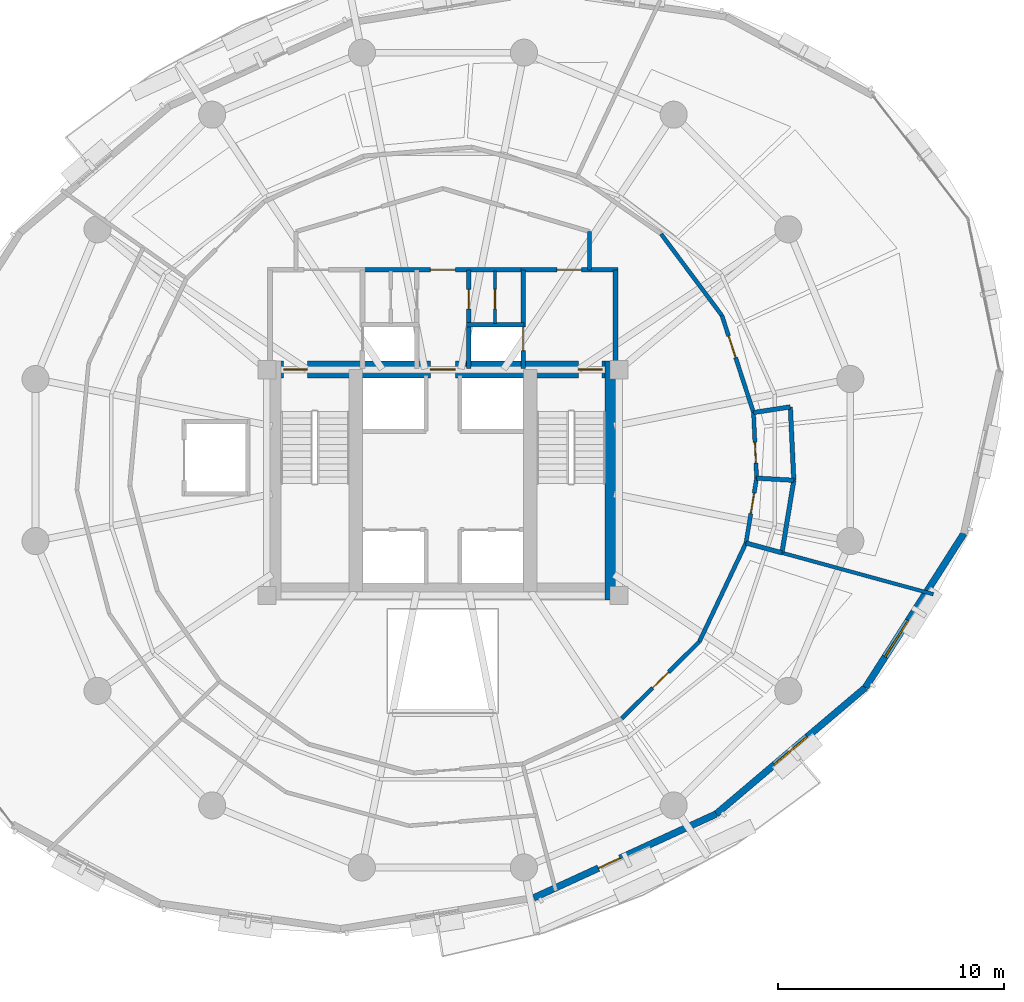
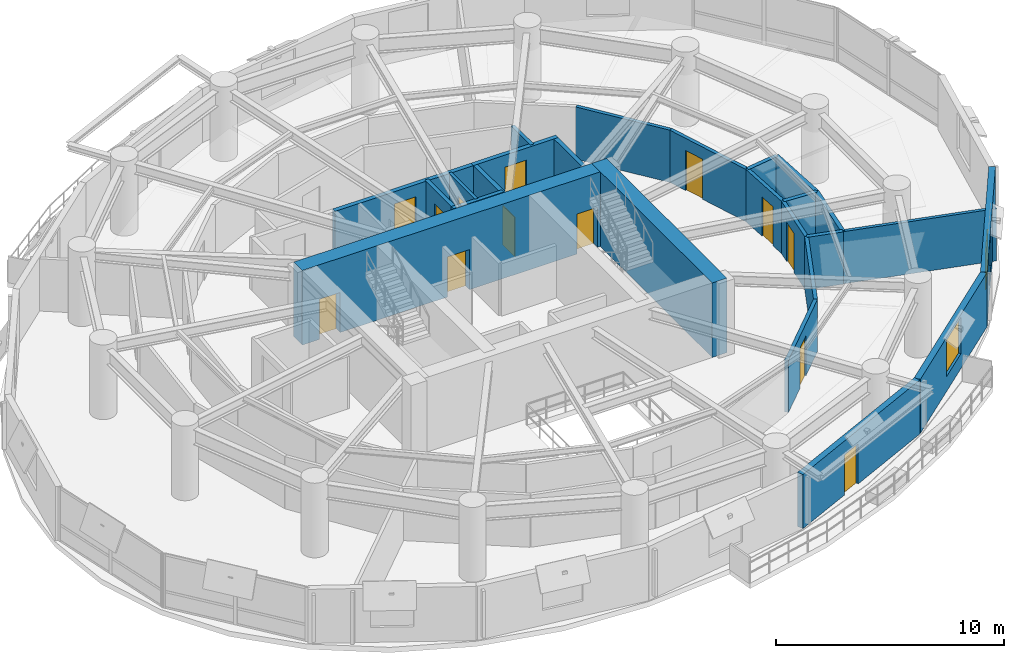
# One storey, part 11 of 14: 25 walls, 13 doors, 2 windows, 15 openings.
"""IFC4 building model written with IfcOpenShell, lengths in metres."""

import ifcopenshell
import ifcopenshell.guid

model = None  # the IFC model being written
_history = None  # IfcOwnerHistory: only IFC2X3 demands one
_inside = {}  # id of a spatial element -> (the spatial element, [elements in it])
_under = {}  # id of a project, library or spatial element -> (it, [spatial elements below it])
_declared = {}  # id of a project -> (the project, [libraries it declares])
_typed = {}  # id of a type object -> (the type object, [elements of that type])
_made_of = {}  # id of a material, layer set ... -> (it, [elements and type objects made of it])


def new_model(schema):
    """Start an empty IFC model of exactly this schema.

    Asked for "IFC4X3", IfcOpenShell would pick the latest addendum, in which some entities
    have other attributes; the version numbers below select the first issue.
    IFC2X3 requires an IfcOwnerHistory on every rooted entity: one is made here for all.
    """
    global model, _history
    if schema == "IFC4X3":
        model = ifcopenshell.file(schema_version=(4, 3, 0, 0))
    else:
        model = ifcopenshell.file(schema=schema)
    _inside.clear()
    _under.clear()
    _declared.clear()
    _typed.clear()
    _made_of.clear()
    _history = None
    if model.schema == "IFC2X3":
        org = make("IfcOrganization", Name="unknown")
        user = make(
            "IfcPersonAndOrganization",
            ThePerson=make("IfcPerson", FamilyName="unknown"),
            TheOrganization=org,
        )
        app = make(
            "IfcApplication",
            ApplicationDeveloper=org,
            Version="unknown",
            ApplicationFullName="unknown",
            ApplicationIdentifier="unknown",
        )
        _history = make(
            "IfcOwnerHistory",
            OwningUser=user,
            OwningApplication=app,
            ChangeAction="ADDED",
            CreationDate=0,
        )
    return model


def make(cls, **values):
    """One entity of the class cls with the attributes given. An attribute that is None is left unset."""
    return model.create_entity(
        cls, **{name: value for name, value in values.items() if value is not None}
    )


def rooted(cls, **values):
    """An entity with a GlobalId (a new one), such as an element, a storey or a relation."""
    return make(cls, GlobalId=ifcopenshell.guid.new(), OwnerHistory=_history, **values)


def si_unit(unit_type, name, prefix=None):
    """IfcSIUnit, for example si_unit("LENGTHUNIT", "METRE", prefix="MILLI")."""
    return make("IfcSIUnit", UnitType=unit_type, Prefix=prefix, Name=name)


def assignment(units):
    """IfcUnitAssignment: the units of a project."""
    return None if units is None else make("IfcUnitAssignment", Units=units)


def point(xyz):
    """IfcCartesianPoint."""
    return None if xyz is None else make("IfcCartesianPoint", Coordinates=xyz)


def direction(xyz):
    """IfcDirection."""
    return None if xyz is None else make("IfcDirection", DirectionRatios=xyz)


def frame(location, z_axis=None, x_axis=None):
    """IfcAxis2Placement3D, a coordinate frame: its origin and axes. An axis left out is left unset."""
    return make(
        "IfcAxis2Placement3D",
        Location=point(location),
        Axis=direction(z_axis),
        RefDirection=direction(x_axis),
    )


def frame_2d(location, x_axis=None):
    """IfcAxis2Placement2D, a coordinate frame in the plane: its origin and x axis."""
    return make(
        "IfcAxis2Placement2D", Location=point(location), RefDirection=direction(x_axis)
    )


def origin():
    """The frame at (0, 0, 0) with its axes left unset."""
    return frame((0.0, 0.0, 0.0))


def place(relative_to, where):
    """IfcLocalPlacement: puts the frame where relative to a parent placement (None: the world)."""
    return make(
        "IfcLocalPlacement", PlacementRelTo=relative_to, RelativePlacement=where
    )


def context(
    kind, dimensions, precision=None, world=None, true_north=None, identifier=None
):
    """IfcGeometricRepresentationContext, for example the 3D "Model" context."""
    return make(
        "IfcGeometricRepresentationContext",
        ContextIdentifier=identifier,
        ContextType=kind,
        CoordinateSpaceDimension=dimensions,
        Precision=precision,
        WorldCoordinateSystem=world,
        TrueNorth=true_north,
    )


def subcontext(parent, identifier, kind, view, scale=None):
    """IfcGeometricRepresentationSubContext, for example "Body" below "Model"."""
    return make(
        "IfcGeometricRepresentationSubContext",
        ContextIdentifier=identifier,
        ContextType=kind,
        ParentContext=parent,
        TargetScale=scale,
        TargetView=view,
    )


def project(units=None, contexts=None):
    """IfcProject with its units and contexts."""
    return rooted(
        "IfcProject",
        Name="project",
        RepresentationContexts=contexts,
        UnitsInContext=assignment(units),
    )


def spatial(cls, under=None, at=None, **own):
    """A site, building, storey or space (cls), placed at a placement, below another one or the project."""
    s = rooted(cls, ObjectPlacement=at, **own)
    if under is not None:
        _under.setdefault(under.id(), (under, []))[1].append(s)
    return s


def profile(cls, at=None, kind="AREA", **sizes):
    """A parametric profile (cls). Its sizes go by their IFC names, for example OverallWidth=200.0."""
    return make(cls, ProfileType=kind, Position=at, **sizes)


def rectangle(**sizes):
    """IfcRectangleProfileDef."""
    return profile("IfcRectangleProfileDef", **sizes)


def extrude(swept, where, along, depth):
    """IfcExtrudedAreaSolid: the profile swept, set in the frame where, extruded along a direction by depth."""
    return make(
        "IfcExtrudedAreaSolid",
        SweptArea=swept,
        Position=where,
        ExtrudedDirection=direction(along),
        Depth=depth,
    )


def shape(context_of_items, identifier, shape_type, items):
    """IfcShapeRepresentation: the items that make up one representation, for example the "Body"."""
    return make(
        "IfcShapeRepresentation",
        ContextOfItems=context_of_items,
        RepresentationIdentifier=identifier,
        RepresentationType=shape_type,
        Items=items,
    )


def material(Name=None, Category=None):
    """IfcMaterial."""
    return make("IfcMaterial", Name=Name, Category=Category)


def layer(
    of_material, thickness, ventilated=None, Name=None, Category=None, Priority=None
):
    """IfcMaterialLayer: one layer of a wall or slab, of a material (None: an air gap)."""
    return make(
        "IfcMaterialLayer",
        Material=of_material,
        LayerThickness=thickness,
        IsVentilated=ventilated,
        Name=Name,
        Category=Category,
        Priority=Priority,
    )


def layer_set(layers, Name=None):
    """IfcMaterialLayerSet."""
    return make("IfcMaterialLayerSet", MaterialLayers=layers, LayerSetName=Name)


def made_of(thing, what):
    """Note that an element or type object is made of a material, layer set ...; save() writes the relation."""
    if what is not None:
        _made_of.setdefault(what.id(), (what, []))[1].append(thing)
    return thing


def type_object(cls, material=None, **own):
    """A type object (cls), such as IfcWallType, which elements share."""
    return made_of(rooted(cls, **own), material)


def element(
    cls,
    number,
    at=None,
    inside=None,
    cuts=None,
    type_object=None,
    material=None,
    context=None,
    identifier="Body",
    shape_type=None,
    held_by="IfcProductDefinitionShape",
    body=None,
    shapes=None,
    **own,
):
    """One element of the class cls, such as IfcWall. Its Tag is "e" and its number.

    at: its placement. inside: the storey or other place that contains it. cuts: it is an
    opening in that element (IfcRelVoidsElement). A single representation is given by context,
    identifier, shape_type and body (its items); several are given by shapes. held_by: the class
    of the entity that holds the representations. save() writes the other relations.
    """
    e = rooted(cls, Tag="e%d" % number, ObjectPlacement=at, **own)
    if body is not None:
        shapes = [shape(context, identifier, shape_type, body)]
    if shapes is not None:
        e.Representation = make(held_by, Representations=shapes)
    if inside is not None:
        _inside.setdefault(inside.id(), (inside, []))[1].append(e)
    if cuts is not None:
        rooted(
            "IfcRelVoidsElement", RelatingBuildingElement=cuts, RelatedOpeningElement=e
        )
    if type_object is not None:
        _typed.setdefault(type_object.id(), (type_object, []))[1].append(e)
    return made_of(e, material)


def fill(opening, filler):
    """IfcRelFillsElement: the door or window that sits in an opening."""
    return rooted(
        "IfcRelFillsElement",
        RelatingOpeningElement=opening,
        RelatedBuildingElement=filler,
    )


def aggregate(whole, parts):
    """IfcRelAggregates: a whole, such as a stair, and the parts it consists of."""
    return rooted("IfcRelAggregates", RelatingObject=whole, RelatedObjects=parts)


def save(model, path):
    """Write the relations noted so far, then the file.

    IfcRelAggregates (storeys below a building ...), IfcRelContainedInSpatialStructure (elements
    in a storey), IfcRelDefinesByType, IfcRelAssociatesMaterial and IfcRelDeclares: one each for
    every whole, place, type object, material and project.
    """
    for whole, parts in _under.values():
        aggregate(whole, parts)
    for where, things in _inside.values():
        rooted(
            "IfcRelContainedInSpatialStructure",
            RelatedElements=things,
            RelatingStructure=where,
        )
    for kind, things in _typed.values():
        rooted("IfcRelDefinesByType", RelatedObjects=things, RelatingType=kind)
    for what, things in _made_of.values():
        rooted("IfcRelAssociatesMaterial", RelatedObjects=things, RelatingMaterial=what)
    for by, libraries in _declared.values():
        rooted("IfcRelDeclares", RelatingContext=by, RelatedDefinitions=libraries)
    model.write(path)


model = new_model("IFC4")

# Units and contexts
model_context = context("Model", 3, precision=1e-05, world=origin(), true_north=direction((0.0, 1.0)))
body_context = subcontext(model_context, "Body", "Model", "MODEL_VIEW")
ifc_project = project(units=[si_unit("LENGTHUNIT", "METRE"), si_unit("AREAUNIT", "SQUARE_METRE"), si_unit("VOLUMEUNIT", "CUBIC_METRE"), si_unit("PLANEANGLEUNIT", "RADIAN"), si_unit("MASSUNIT", "GRAM", prefix="KILO"), si_unit("THERMODYNAMICTEMPERATUREUNIT", "KELVIN"), si_unit("POWERUNIT", "WATT")], contexts=[model_context])

# Site, building, storey
site_placement = place(None, origin())
site = spatial("IfcSite", under=ifc_project, at=site_placement, CompositionType="ELEMENT")
building_placement = place(site_placement, origin())
building = spatial("IfcBuilding", under=site, at=building_placement, Name="Ocrelia Relay Tower", CompositionType="ELEMENT")
storey_placement = place(building_placement, frame((0.0, 0.0, 137.800048828125)))
storey = spatial("IfcBuildingStorey", under=building, at=storey_placement, Name="L32", CompositionType="ELEMENT", Elevation=137.800048828125)

# Wall, openings, doors
ifc_material_1 = material(Name="Concrete C60/75", Category="concrete")
ifc_layer_1 = layer(ifc_material_1, 0.75, Name="Concrete C60/75")
ifc_layer_set_1 = layer_set([ifc_layer_1], Name="Concrete C60/75")
wall_type_1 = type_object("IfcWallType", Name="CW-CORE-750", PredefinedType="SHEAR", material=ifc_layer_set_1)
wall_1_placement = place(storey_placement, frame((26.072021484375, 30.012939453125, 0.0), z_axis=(0.0, 0.0, 1.0), x_axis=(1.0, 0.0, 0.0)))
wall_1 = element("IfcWall", 1, at=wall_1_placement, inside=storey, type_object=wall_type_1, Name="L32 Core Shear Wall N", PredefinedType="SHEAR", context=body_context, shape_type="SweptSolid", body=[
    extrude(rectangle(XDim=15.865966796875, YDim=0.75, at=frame_2d((7.93310546875, 0.0))), origin(), (0.0, 0.0, 1.0), 4.0),
])
opening_1_placement = place(wall_1_placement, frame((0.8779296875, 0.0, 0.0)))
opening_1 = element("IfcOpeningElement", 2, at=opening_1_placement, cuts=wall_1, Name="Opening D-FD90", PredefinedType="OPENING", context=body_context, shape_type="SweptSolid", body=[
    extrude(rectangle(XDim=1.050048828125, YDim=2.14990234375, at=frame_2d((0.52490234375, 1.074951171875))), frame((0.0, 0.385009765625, 0.0), z_axis=(0.0, -1.0, 0.0), x_axis=(1.0, 0.0, 0.0)), (0.0, 0.0, 1.0), 0.77001953125),
])
opening_2_placement = place(wall_1_placement, frame((13.927978515625, 0.0, 0.0)))
opening_2 = element("IfcOpeningElement", 3, at=opening_2_placement, cuts=wall_1, Name="Opening D-FD90", PredefinedType="OPENING", context=body_context, shape_type="SweptSolid", body=[
    extrude(rectangle(XDim=1.050048828125, YDim=2.14990234375, at=frame_2d((0.52490234375, 1.074951171875))), frame((0.0, 0.385009765625, 0.0), z_axis=(0.0, -1.0, 0.0), x_axis=(1.0, 0.0, 0.0)), (0.0, 0.0, 1.0), 0.77001953125),
])
opening_3_placement = place(wall_1_placement, frame((7.3779296875, 0.0, 0.0)))
opening_3 = element("IfcOpeningElement", 4, at=opening_3_placement, cuts=wall_1, Name="Opening D-FD60", PredefinedType="OPENING", context=body_context, shape_type="SweptSolid", body=[
    extrude(rectangle(XDim=1.10009765625, YDim=2.14990234375, at=frame_2d((0.550048828125, 1.074951171875))), frame((0.0, 0.385009765625, 0.0), z_axis=(0.0, -1.0, 0.0), x_axis=(1.0, 0.0, 0.0)), (0.0, 0.0, 1.0), 0.77001953125),
])
ifc_material_2 = material(Name="Timber-core 60-min acoustic fire door", Category="wood")
door_type_1 = type_object("IfcDoorType", Name="DR-LOBBY-FD60-1100", OperationType="NOTDEFINED", PredefinedType="DOOR", material=ifc_material_2)
door_1_placement = place(opening_3_placement, origin())
door_1 = element("IfcDoor", 5, at=door_1_placement, inside=storey, type_object=door_type_1, Name="L32 Core Lift Lobby North Fire Door", OperationType="SINGLE_SWING_RIGHT", OverallHeight=2.14990234375, OverallWidth=1.10009765625, PredefinedType="DOOR", context=body_context, shape_type="SweptSolid", body=[
    extrude(rectangle(XDim=1.10009765625, YDim=2.14990234375, at=frame_2d((0.550048828125, 1.074951171875))), frame((0.0, 0.02490234375, 0.0), z_axis=(0.0, -1.0, 0.0), x_axis=(1.0, 0.0, 0.0)), (0.0, 0.0, 1.0), 0.050048828125),
])
fill(opening_3, door_1)
ifc_material_3 = material(Name="Steel S355 90-min fire door", Category="steel")
door_type_2 = type_object("IfcDoorType", Name="DR-STAIR-FD90-1050", OperationType="NOTDEFINED", PredefinedType="DOOR", material=ifc_material_3)
door_2_placement = place(opening_1_placement, origin())
door_2 = element("IfcDoor", 6, at=door_2_placement, inside=storey, type_object=door_type_2, Name="L32 Stair ST1 Fire Door", OperationType="SINGLE_SWING_RIGHT", OverallHeight=2.14990234375, OverallWidth=1.050048828125, PredefinedType="DOOR", context=body_context, shape_type="SweptSolid", body=[
    extrude(rectangle(XDim=1.050048828125, YDim=2.14990234375, at=frame_2d((0.52490234375, 1.074951171875))), frame((0.0, 0.02490234375, 0.0), z_axis=(0.0, -1.0, 0.0), x_axis=(1.0, 0.0, 0.0)), (0.0, 0.0, 1.0), 0.050048828125),
])
fill(opening_1, door_2)
door_3_placement = place(opening_2_placement, origin())
door_3 = element("IfcDoor", 7, at=door_3_placement, inside=storey, type_object=door_type_2, Name="L32 Stair ST2 Fire Door", OperationType="SINGLE_SWING_LEFT", OverallHeight=2.14990234375, OverallWidth=1.050048828125, PredefinedType="DOOR", context=body_context, shape_type="SweptSolid", body=[
    extrude(rectangle(XDim=1.050048828125, YDim=2.14990234375, at=frame_2d((0.52490234375, 1.074951171875))), frame((0.0, 0.02490234375, 0.0), z_axis=(0.0, -1.0, 0.0), x_axis=(1.0, 0.0, 0.0)), (0.0, 0.0, 1.0), 0.050048828125),
])
fill(opening_2, door_3)

# Walls
wall_2_placement = place(storey_placement, frame((41.56298828125, 19.81201171875, 0.0), z_axis=(0.0, 0.0, 1.0), x_axis=(0.0, 1.0, 0.0)))
element("IfcWall", 8, at=wall_2_placement, inside=storey, type_object=wall_type_1, Name="L32 Core Shear Wall E", PredefinedType="SHEAR", context=body_context, shape_type="SweptSolid", body=[
    extrude(rectangle(XDim=10.575927734375, YDim=0.75, at=frame_2d((5.2880859375, 0.0))), origin(), (0.0, 0.0, 1.0), 4.0),
])
ifc_material_4 = material(Name="Gypsum Fireboard Partition EI60", Category="gypsum")
ifc_layer_2 = layer(ifc_material_4, 0.179931640625, Name="Gypsum Fireboard Partition EI60")
ifc_layer_set_2 = layer_set([ifc_layer_2], Name="Gypsum Fireboard Partition EI60")
wall_type_2 = type_object("IfcWallType", Name="W-CORR-EI60-180", PredefinedType="PARTITIONING", material=ifc_layer_set_2)
wall_3_placement = place(storey_placement, frame((40.5, 36.122802734375, 0.0), z_axis=(0.0, 0.0, 1.0), x_axis=(0.0, -1.0, 0.0)))
element("IfcWall", 9, at=wall_3_placement, inside=storey, type_object=wall_type_2, Name="L32 Smoke Lobby East Return", PredefinedType="PARTITIONING", context=body_context, shape_type="SweptSolid", body=[
    extrude(rectangle(XDim=1.69287109375, YDim=0.179931640625, at=frame_2d((0.846435546875, 0.0))), origin(), (0.0, 0.0, 1.0), 2.800048828125),
])

# Wall, opening, door
wall_4_placement = place(storey_placement, frame((47.426513671875, 22.326904296875, 0.0), z_axis=(0.0, 0.0, 1.0), x_axis=(0.161663862562, 0.986845882365, 0.0)))
wall_4 = element("IfcWall", 10, at=wall_4_placement, inside=storey, type_object=wall_type_2, Name="L32 Staff Toilet Corridor Wall", PredefinedType="PARTITIONING", context=body_context, shape_type="SweptSolid", body=[
    extrude(rectangle(XDim=2.91015625, YDim=0.179931640625, at=frame_2d((1.455078125, 0.0))), origin(), (0.0, 0.0, 1.0), 2.800048828125),
])
opening_4_placement = place(wall_4_placement, frame((1.321044921875, 0.0, 0.0)))
opening_4 = element("IfcOpeningElement", 11, at=opening_4_placement, cuts=wall_4, Name="Opening D-WC92", PredefinedType="OPENING", context=body_context, shape_type="SweptSolid", body=[
    extrude(rectangle(XDim=0.919921875, YDim=2.10009765625, at=frame_2d((0.4599609375, 1.050048828125))), frame((0.0, 0.10009765625, 0.0), z_axis=(0.0, -1.0, 0.0), x_axis=(1.0, 0.0, 0.0)), (0.0, 0.0, 1.0), 0.199951171875),
])
ifc_material_5 = material(Name="Laminate washroom door", Category="wood")
door_type_3 = type_object("IfcDoorType", Name="DR-WC-920", OperationType="NOTDEFINED", PredefinedType="DOOR", material=ifc_material_5)
door_4_placement = place(opening_4_placement, origin())
door_4 = element("IfcDoor", 12, at=door_4_placement, inside=storey, type_object=door_type_3, Name="L32 Staff Toilet Door", OperationType="SINGLE_SWING_RIGHT", OverallHeight=2.10009765625, OverallWidth=0.919921875, PredefinedType="DOOR", context=body_context, shape_type="SweptSolid", body=[
    extrude(rectangle(XDim=0.919921875, YDim=2.10009765625, at=frame_2d((0.4599609375, 1.050048828125))), frame((0.0, 0.02490234375, 0.0), z_axis=(0.0, -1.0, 0.0), x_axis=(1.0, 0.0, 0.0)), (0.0, 0.0, 1.0), 0.050048828125),
])
fill(opening_4, door_4)

wall_5_placement = place(storey_placement, frame((47.89697265625, 25.19873046875, 0.0), z_axis=(0.0, 0.0, 1.0), x_axis=(-0.047146640138, 0.998887978866, 0.0)))
wall_5 = element("IfcWall", 13, at=wall_5_placement, inside=storey, type_object=wall_type_2, Name="L32 Accessible Toilet Corridor Wall", PredefinedType="PARTITIONING", context=body_context, shape_type="SweptSolid", body=[
    extrude(rectangle(XDim=2.91015625, YDim=0.179931640625, at=frame_2d((1.455078125, 0.0))), origin(), (0.0, 0.0, 1.0), 2.800048828125),
])
opening_5_placement = place(wall_5_placement, frame((0.6689453125, 0.0, 0.0)))
opening_5 = element("IfcOpeningElement", 14, at=opening_5_placement, cuts=wall_5, Name="Opening D-WC92", PredefinedType="OPENING", context=body_context, shape_type="SweptSolid", body=[
    extrude(rectangle(XDim=0.919921875, YDim=2.10009765625, at=frame_2d((0.4599609375, 1.050048828125))), frame((0.0, 0.10009765625, 0.0), z_axis=(0.0, -1.0, 0.0), x_axis=(1.0, 0.0, 0.0)), (0.0, 0.0, 1.0), 0.199951171875),
])
door_5_placement = place(opening_5_placement, origin())
door_5 = element("IfcDoor", 15, at=door_5_placement, inside=storey, type_object=door_type_3, Name="L32 Accessible Toilet Door", OperationType="SINGLE_SWING_LEFT", OverallHeight=2.10009765625, OverallWidth=0.919921875, PredefinedType="DOOR", context=body_context, shape_type="SweptSolid", body=[
    extrude(rectangle(XDim=0.919921875, YDim=2.10009765625, at=frame_2d((0.4599609375, 1.050048828125))), frame((0.0, 0.02490234375, 0.0), z_axis=(0.0, -1.0, 0.0), x_axis=(1.0, 0.0, 0.0)), (0.0, 0.0, 1.0), 0.050048828125),
])
fill(opening_5, door_5)

wall_6_placement = place(storey_placement, frame((47.759765625, 28.105712890625, 0.0), z_axis=(0.0, 0.0, 1.0), x_axis=(-0.309584910411, 0.950871801688, 0.0)))
wall_6 = element("IfcWall", 16, at=wall_6_placement, inside=storey, type_object=wall_type_2, Name="L32 Shift Staff Lounge Corridor Partition 1", PredefinedType="PARTITIONING", context=body_context, shape_type="SweptSolid", body=[
    extrude(rectangle(XDim=4.514892578125, YDim=0.179931640625, at=frame_2d((2.25732421875, 0.0))), origin(), (0.0, 0.0, 1.0), 2.800048828125),
])
opening_6_placement = place(wall_6_placement, frame((2.561279296875, 0.0, 0.0)))
opening_6 = element("IfcOpeningElement", 17, at=opening_6_placement, cuts=wall_6, Name="Opening D-RM100", PredefinedType="OPENING", context=body_context, shape_type="SweptSolid", body=[
    extrude(rectangle(XDim=1.0, YDim=2.14990234375, at=frame_2d((0.5, 1.074951171875))), frame((0.0, 0.10009765625, 0.0), z_axis=(0.0, -1.0, 0.0), x_axis=(1.0, 0.0, 0.0)), (0.0, 0.0, 1.0), 0.199951171875),
])
ifc_material_6 = material(Name="Acoustic oak veneer fire door", Category="wood")
door_type_4 = type_object("IfcDoorType", Name="DR-ROOM-FD60-1000", OperationType="NOTDEFINED", PredefinedType="DOOR", material=ifc_material_6)
door_6_placement = place(opening_6_placement, origin())
door_6 = element("IfcDoor", 18, at=door_6_placement, inside=storey, type_object=door_type_4, Name="L32 Shift Staff Lounge Entrance Door", OperationType="SINGLE_SWING_RIGHT", OverallHeight=2.14990234375, OverallWidth=1.0, PredefinedType="DOOR", context=body_context, shape_type="SweptSolid", body=[
    extrude(rectangle(XDim=1.0, YDim=2.14990234375, at=frame_2d((0.5, 1.074951171875))), frame((0.0, 0.02490234375, 0.0), z_axis=(0.0, -1.0, 0.0), x_axis=(1.0, 0.0, 0.0)), (0.0, 0.0, 1.0), 0.050048828125),
])
fill(opening_6, door_6)

# Wall
wall_7_placement = place(storey_placement, frame((46.362060546875, 32.398681640625, 0.0), z_axis=(0.0, 0.0, 1.0), x_axis=(-0.597609484821, 0.801787318216, 0.0)))
element("IfcWall", 19, at=wall_7_placement, inside=storey, type_object=wall_type_2, Name="L32 Shift Staff Lounge Corridor Partition 2", PredefinedType="PARTITIONING", context=body_context, shape_type="SweptSolid", body=[
    extrude(rectangle(XDim=4.51513671875, YDim=0.179931640625, at=frame_2d((2.257568359375, 0.0))), origin(), (0.0, 0.0, 1.0), 2.800048828125),
])

# Wall, opening, door
wall_8_placement = place(storey_placement, frame((41.92431640625, 14.555908203125, 0.0), z_axis=(0.0, 0.0, 1.0), x_axis=(0.710808900414, 0.703385176907, 0.0)))
wall_8 = element("IfcWall", 20, at=wall_8_placement, inside=storey, type_object=wall_type_2, Name="L32 Optical Systems Laboratory Corridor Partition 2", PredefinedType="PARTITIONING", context=body_context, shape_type="SweptSolid", body=[
    extrude(rectangle(XDim=4.834228515625, YDim=0.179931640625, at=frame_2d((2.4169921875, 0.0))), origin(), (0.0, 0.0, 1.0), 2.800048828125),
])
opening_7_placement = place(wall_8_placement, frame((1.9169921875, 0.0, 0.0)))
opening_7 = element("IfcOpeningElement", 21, at=opening_7_placement, cuts=wall_8, Name="Opening D-RM100", PredefinedType="OPENING", context=body_context, shape_type="SweptSolid", body=[
    extrude(rectangle(XDim=1.0, YDim=2.14990234375, at=frame_2d((0.5, 1.074951171875))), frame((0.0, 0.10009765625, 0.0), z_axis=(0.0, -1.0, 0.0), x_axis=(1.0, 0.0, 0.0)), (0.0, 0.0, 1.0), 0.199951171875),
])
door_7_placement = place(opening_7_placement, origin())
door_7 = element("IfcDoor", 22, at=door_7_placement, inside=storey, type_object=door_type_4, Name="L32 Optical Systems Laboratory Entrance Door", OperationType="SINGLE_SWING_RIGHT", OverallHeight=2.14990234375, OverallWidth=1.0, PredefinedType="DOOR", context=body_context, shape_type="SweptSolid", body=[
    extrude(rectangle(XDim=1.0, YDim=2.14990234375, at=frame_2d((0.5, 1.074951171875))), frame((0.0, 0.02490234375, 0.0), z_axis=(0.0, -1.0, 0.0), x_axis=(1.0, 0.0, 0.0)), (0.0, 0.0, 1.0), 0.050048828125),
])
fill(opening_7, door_7)

# Wall
wall_9_placement = place(storey_placement, frame((45.360595703125, 17.956298828125, 0.0), z_axis=(0.0, 0.0, 1.0), x_axis=(0.427348095513, 0.904087166849, 0.0)))
element("IfcWall", 23, at=wall_9_placement, inside=storey, type_object=wall_type_2, Name="L32 Optical Systems Laboratory Corridor Partition 3", PredefinedType="PARTITIONING", context=body_context, shape_type="SweptSolid", body=[
    extrude(rectangle(XDim=4.834228515625, YDim=0.179931640625, at=frame_2d((2.4169921875, 0.0))), origin(), (0.0, 0.0, 1.0), 2.800048828125),
])

# Wall, opening, door
ifc_material_7 = material(Name="Precast concrete C40/50 with oxide terracotta", Category="masonry")
ifc_layer_3 = layer(ifc_material_7, 0.300048828125, Name="Precast concrete C40/50 with oxide terracotta")
ifc_layer_set_3 = layer_set([ifc_layer_3], Name="Precast concrete C40/50 with oxide terracotta")
wall_type_3 = type_object("IfcWallType", Name="W-EXT-TERR-300", PredefinedType="SOLIDWALL", material=ifc_layer_set_3)
wall_10_placement = place(storey_placement, frame((38.027099609375, 6.606201171875, 0.0), z_axis=(0.0, 0.0, 1.0), x_axis=(0.908512345051, 0.417858012835, 0.0)))
wall_10 = element("IfcWall", 24, at=wall_10_placement, inside=storey, type_object=wall_type_3, Name="L32 Oxide Terracotta Facade Wall 14", PredefinedType="SOLIDWALL", context=body_context, shape_type="SweptSolid", body=[
    extrude(rectangle(XDim=8.890869140625, YDim=0.300048828125, at=frame_2d((4.4453125, 0.0))), origin(), (0.0, 0.0, 1.0), 2.89990234375),
])
opening_8_placement = place(wall_10_placement, frame((3.14990234375, 0.0, 0.0)))
opening_8 = element("IfcOpeningElement", 25, at=opening_8_placement, cuts=wall_10, Name="Opening DB-105", PredefinedType="OPENING", context=body_context, shape_type="SweptSolid", body=[
    extrude(rectangle(XDim=1.050048828125, YDim=2.14990234375, at=frame_2d((0.52490234375, 1.074951171875))), frame((0.0, 0.16015625, 0.0), z_axis=(0.0, -1.0, 0.0), x_axis=(1.0, 0.0, 0.0)), (0.0, 0.0, 1.0), 0.320068359375),
])
ifc_material_8 = material(Name="Thermally broken aluminium and clear glass", Category="aluminium")
door_type_5 = type_object("IfcDoorType", Name="DR-BALC-1050", OperationType="NOTDEFINED", PredefinedType="DOOR", material=ifc_material_8)
door_8_placement = place(opening_8_placement, origin())
door_8 = element("IfcDoor", 26, at=door_8_placement, inside=storey, type_object=door_type_5, Name="L32 Planted Loggia Balcony Door B2", OperationType="SINGLE_SWING_LEFT", OverallHeight=2.14990234375, OverallWidth=1.050048828125, PredefinedType="DOOR", context=body_context, shape_type="SweptSolid", body=[
    extrude(rectangle(XDim=1.050048828125, YDim=2.14990234375, at=frame_2d((0.52490234375, 1.074951171875))), frame((0.0, 0.02490234375, 0.0), z_axis=(0.0, -1.0, 0.0), x_axis=(1.0, 0.0, 0.0)), (0.0, 0.0, 1.0), 0.050048828125),
])
fill(opening_8, door_8)

# Wall, opening, window
wall_11_placement = place(storey_placement, frame((46.1044921875, 10.3212890625, 0.0), z_axis=(0.0, 0.0, 1.0), x_axis=(0.762985724951, 0.646415333606, 0.0)))
wall_11 = element("IfcWall", 27, at=wall_11_placement, inside=storey, type_object=wall_type_3, Name="L32 Oxide Terracotta Facade Wall 15", PredefinedType="SOLIDWALL", context=body_context, shape_type="SweptSolid", body=[
    extrude(rectangle(XDim=8.6728515625, YDim=0.300048828125, at=frame_2d((4.33642578125, 0.0))), origin(), (0.0, 0.0, 1.0), 2.89990234375),
])
opening_9_placement = place(wall_11_placement, frame((3.385986328125, 0.0, 0.800048828125)))
opening_9 = element("IfcOpeningElement", 28, at=opening_9_placement, cuts=wall_11, Name="Opening W-06", PredefinedType="OPENING", context=body_context, shape_type="SweptSolid", body=[
    extrude(rectangle(XDim=1.89990234375, YDim=1.949951171875, at=frame_2d((0.949951171875, 0.97509765625))), frame((0.0, 0.16015625, 0.0), z_axis=(0.0, -1.0, 0.0), x_axis=(1.0, 0.0, 0.0)), (0.0, 0.0, 1.0), 0.320068359375),
])
ifc_material_9 = material(Name="Clear double-glazed low-E glass", Category="glass")
window_type = type_object("IfcWindowType", Name="WIN-Z2-1900x2100", PartitioningType="DOUBLE_PANEL_VERTICAL", PredefinedType="WINDOW", material=ifc_material_9)
window_1_placement = place(opening_9_placement, origin())
window_1 = element("IfcWindow", 29, at=window_1_placement, inside=storey, type_object=window_type, Name="L32 Facade Module Window 15", OverallHeight=1.949951171875, OverallWidth=1.89990234375, PartitioningType="SINGLE_PANEL", PredefinedType="WINDOW", context=body_context, shape_type="SweptSolid", body=[
    extrude(rectangle(XDim=1.89990234375, YDim=1.949951171875, at=frame_2d((0.949951171875, 0.97509765625))), frame((0.0, 0.030029296875, 0.0), z_axis=(0.0, -1.0, 0.0), x_axis=(1.0, 0.0, 0.0)), (0.0, 0.0, 1.0), 0.06005859375),
])
fill(opening_9, window_1)

wall_12_placement = place(storey_placement, frame((52.7216796875, 15.927490234375, 0.0), z_axis=(0.0, 0.0, 1.0), x_axis=(0.538505872867, 0.842621756714, 0.0)))
wall_12 = element("IfcWall", 30, at=wall_12_placement, inside=storey, type_object=wall_type_3, Name="L32 Oxide Terracotta Facade Wall 16", PredefinedType="SOLIDWALL", context=body_context, shape_type="SweptSolid", body=[
    extrude(rectangle(XDim=8.09521484375, YDim=0.300048828125, at=frame_2d((4.047607421875, 0.0))), origin(), (0.0, 0.0, 1.0), 2.89990234375),
])
opening_10_placement = place(wall_12_placement, frame((1.614990234375, 0.0, 0.800048828125)))
opening_10 = element("IfcOpeningElement", 31, at=opening_10_placement, cuts=wall_12, Name="Opening W-06", PredefinedType="OPENING", context=body_context, shape_type="SweptSolid", body=[
    extrude(rectangle(XDim=1.89990234375, YDim=1.949951171875, at=frame_2d((0.949951171875, 0.97509765625))), frame((0.0, 0.16015625, 0.0), z_axis=(0.0, -1.0, 0.0), x_axis=(1.0, 0.0, 0.0)), (0.0, 0.0, 1.0), 0.320068359375),
])
window_2_placement = place(opening_10_placement, origin())
window_2 = element("IfcWindow", 32, at=window_2_placement, inside=storey, type_object=window_type, Name="L32 Facade Module Window 16", OverallHeight=1.949951171875, OverallWidth=1.89990234375, PartitioningType="SINGLE_PANEL", PredefinedType="WINDOW", context=body_context, shape_type="SweptSolid", body=[
    extrude(rectangle(XDim=1.89990234375, YDim=1.949951171875, at=frame_2d((0.949951171875, 0.97509765625))), frame((0.0, 0.030029296875, 0.0), z_axis=(0.0, -1.0, 0.0), x_axis=(1.0, 0.0, 0.0)), (0.0, 0.0, 1.0), 0.06005859375),
])
fill(opening_10, window_2)

# Wall, opening, door
ifc_material_10 = material(Name="Concrete C50/60", Category="concrete")
ifc_layer_4 = layer(ifc_material_10, 0.219970703125, Name="Concrete C50/60")
ifc_layer_set_4 = layer_set([ifc_layer_4], Name="Concrete C50/60")
wall_type_4 = type_object("IfcWallType", Name="W-FFL-EI120-220", PredefinedType="SOLIDWALL", material=ifc_layer_set_4)
wall_13_placement = place(storey_placement, frame((37.56005859375, 30.050048828125, 0.0), z_axis=(0.0, 0.0, 1.0), x_axis=(0.0, 1.0, 0.0)))
wall_13 = element("IfcWall", 33, at=wall_13_placement, inside=storey, type_object=wall_type_4, Name="L32 E Fire Service Lift Lobby West Wall", PredefinedType="SOLIDWALL", context=body_context, shape_type="SweptSolid", body=[
    extrude(rectangle(XDim=4.3798828125, YDim=0.219970703125, at=frame_2d((2.18994140625, 0.0))), origin(), (0.0, 0.0, 1.0), 2.800048828125),
])
opening_11_placement = place(wall_13_placement, frame((0.800048828125, 0.0, 0.0)))
opening_11 = element("IfcOpeningElement", 34, at=opening_11_placement, cuts=wall_13, Name="Opening LD-FFL2", PredefinedType="OPENING", context=body_context, shape_type="SweptSolid", body=[
    extrude(rectangle(XDim=1.050048828125, YDim=2.10009765625, at=frame_2d((0.52490234375, 1.050048828125))), frame((0.0, 0.1201171875, 0.0), z_axis=(0.0, -1.0, 0.0), x_axis=(1.0, 0.0, 0.0)), (0.0, 0.0, 1.0), 0.239990234375),
])
ifc_material_11 = material(Name="Brushed stainless steel S355 lift landing door", Category="steel")
door_type_6 = type_object("IfcDoorType", Name="DR-LIFT-LAND-1050", OperationType="DOUBLE_DOOR_SLIDING", PredefinedType="USERDEFINED", material=ifc_material_11)
door_9_placement = place(opening_11_placement, origin())
door_9 = element("IfcDoor", 35, at=door_9_placement, inside=storey, type_object=door_type_6, Name="L32 Firefighting Lift FFL2 Sliding Landing Door", ObjectType="LANDING DOOR", OperationType="DOUBLE_DOOR_SLIDING", OverallHeight=2.10009765625, OverallWidth=1.050048828125, PredefinedType="USERDEFINED", context=body_context, shape_type="SweptSolid", body=[
    extrude(rectangle(XDim=1.050048828125, YDim=2.10009765625, at=frame_2d((0.52490234375, 1.050048828125))), frame((0.0, 0.02490234375, 0.0), z_axis=(0.0, -1.0, 0.0), x_axis=(1.0, 0.0, 0.0)), (0.0, 0.0, 1.0), 0.050048828125),
])
fill(opening_11, door_9)

# Wall
wall_14_placement = place(storey_placement, frame((41.64990234375, 30.050048828125, 0.0), z_axis=(0.0, 0.0, 1.0), x_axis=(0.0, 1.0, 0.0)))
element("IfcWall", 36, at=wall_14_placement, inside=storey, type_object=wall_type_4, Name="L32 E Fire Service Lift Lobby East Wall", PredefinedType="SOLIDWALL", context=body_context, shape_type="SweptSolid", body=[
    extrude(rectangle(XDim=4.3798828125, YDim=0.219970703125, at=frame_2d((2.18994140625, 0.0))), origin(), (0.0, 0.0, 1.0), 2.800048828125),
])

# Wall, opening, door
wall_15_placement = place(storey_placement, frame((37.449951171875, 34.429931640625, 0.0), z_axis=(0.0, 0.0, 1.0), x_axis=(1.0, 0.0, 0.0)))
wall_15 = element("IfcWall", 37, at=wall_15_placement, inside=storey, type_object=wall_type_4, Name="L32 E Fire Service Lift Lobby North Wall", PredefinedType="SOLIDWALL", context=body_context, shape_type="SweptSolid", body=[
    extrude(rectangle(XDim=4.31005859375, YDim=0.219970703125, at=frame_2d((2.155029296875, 0.0))), origin(), (0.0, 0.0, 1.0), 2.800048828125),
])
opening_12_placement = place(wall_15_placement, frame((1.60009765625, 0.0, 0.0)))
opening_12 = element("IfcOpeningElement", 38, at=opening_12_placement, cuts=wall_15, Name="Opening D-FD60", PredefinedType="OPENING", context=body_context, shape_type="SweptSolid", body=[
    extrude(rectangle(XDim=1.10009765625, YDim=2.14990234375, at=frame_2d((0.550048828125, 1.074951171875))), frame((0.0, 0.1201171875, 0.0), z_axis=(0.0, -1.0, 0.0), x_axis=(1.0, 0.0, 0.0)), (0.0, 0.0, 1.0), 0.239990234375),
])
door_10_placement = place(opening_12_placement, origin())
door_10 = element("IfcDoor", 39, at=door_10_placement, inside=storey, type_object=door_type_1, Name="L32 E Fire Service Lift Lobby Exit Door", OperationType="SINGLE_SWING_LEFT", OverallHeight=2.14990234375, OverallWidth=1.10009765625, PredefinedType="DOOR", context=body_context, shape_type="SweptSolid", body=[
    extrude(rectangle(XDim=1.10009765625, YDim=2.14990234375, at=frame_2d((0.550048828125, 1.074951171875))), frame((0.0, 0.02490234375, 0.0), z_axis=(0.0, -1.0, 0.0), x_axis=(1.0, 0.0, 0.0)), (0.0, 0.0, 1.0), 0.050048828125),
])
fill(opening_12, door_10)

wall_16_placement = place(storey_placement, frame((30.43994140625, 34.429931640625, 0.0), z_axis=(0.0, 0.0, 1.0), x_axis=(1.0, 0.0, 0.0)))
wall_16 = element("IfcWall", 40, at=wall_16_placement, inside=storey, type_object=wall_type_4, Name="L32 North Core Vestibule Wall", PredefinedType="SOLIDWALL", context=body_context, shape_type="SweptSolid", body=[
    extrude(rectangle(XDim=7.1201171875, YDim=0.219970703125, at=frame_2d((3.56005859375, 0.0))), origin(), (0.0, 0.0, 1.0), 2.800048828125),
])
opening_13_placement = place(wall_16_placement, frame((3.010009765625, 0.0, 0.0)))
opening_13 = element("IfcOpeningElement", 41, at=opening_13_placement, cuts=wall_16, Name="Opening D-FD60", PredefinedType="OPENING", context=body_context, shape_type="SweptSolid", body=[
    extrude(rectangle(XDim=1.10009765625, YDim=2.14990234375, at=frame_2d((0.550048828125, 1.074951171875))), frame((0.0, 0.1201171875, 0.0), z_axis=(0.0, -1.0, 0.0), x_axis=(1.0, 0.0, 0.0)), (0.0, 0.0, 1.0), 0.239990234375),
])
door_11_placement = place(opening_13_placement, origin())
door_11 = element("IfcDoor", 42, at=door_11_placement, inside=storey, type_object=door_type_1, Name="L32 North Core Vestibule Corridor Door", OperationType="SINGLE_SWING_LEFT", OverallHeight=2.14990234375, OverallWidth=1.10009765625, PredefinedType="DOOR", context=body_context, shape_type="SweptSolid", body=[
    extrude(rectangle(XDim=1.10009765625, YDim=2.14990234375, at=frame_2d((0.550048828125, 1.074951171875))), frame((0.0, 0.02490234375, 0.0), z_axis=(0.0, -1.0, 0.0), x_axis=(1.0, 0.0, 0.0)), (0.0, 0.0, 1.0), 0.050048828125),
])
fill(opening_13, door_11)

ifc_material_12 = material(Name="Acoustic Fireboard Partition EI60", Category="gypsum")
ifc_layer_5 = layer(ifc_material_12, 0.14990234375, Name="Acoustic Fireboard Partition EI60")
ifc_layer_set_5 = layer_set([ifc_layer_5], Name="Acoustic Fireboard Partition EI60")
wall_type_5 = type_object("IfcWallType", Name="W-PART-150", PredefinedType="PARTITIONING", material=ifc_layer_set_5)
wall_17_placement = place(storey_placement, frame((36.31005859375, 32.050048828125, 0.0), z_axis=(0.0, 0.0, 1.0), x_axis=(0.0, 1.0, 0.0)))
wall_17 = element("IfcWall", 43, at=wall_17_placement, inside=storey, type_object=wall_type_5, Name="L32 East Core Support Partition", PredefinedType="PARTITIONING", context=body_context, shape_type="SweptSolid", body=[
    extrude(rectangle(XDim=2.329833984375, YDim=0.14990234375, at=frame_2d((1.1650390625, 0.0))), origin(), (0.0, 0.0, 1.0), 2.800048828125),
])
opening_14_placement = place(wall_17_placement, frame((0.64990234375, 0.0, 0.0)))
opening_14 = element("IfcOpeningElement", 44, at=opening_14_placement, cuts=wall_17, Name="Opening D-RS86", PredefinedType="OPENING", context=body_context, shape_type="SweptSolid", body=[
    extrude(rectangle(XDim=0.860107421875, YDim=2.050048828125, at=frame_2d((0.43017578125, 1.02490234375))), frame((0.0, 0.0849609375, 0.0), z_axis=(0.0, -1.0, 0.0), x_axis=(1.0, 0.0, 0.0)), (0.0, 0.0, 1.0), 0.169921875),
])
ifc_material_13 = material(Name="Steel S355 riser access fire door", Category="steel")
door_type_7 = type_object("IfcDoorType", Name="DR-RISER-TRAP-860", OperationType="NOTDEFINED", PredefinedType="TRAPDOOR", material=ifc_material_13)
door_12_placement = place(opening_14_placement, origin())
door_12 = element("IfcDoor", 45, at=door_12_placement, inside=storey, type_object=door_type_7, Name="L32 East Core Store Connecting Door", OperationType="SINGLE_SWING_LEFT", OverallHeight=2.050048828125, OverallWidth=0.860107421875, PredefinedType="TRAPDOOR", context=body_context, shape_type="SweptSolid", body=[
    extrude(rectangle(XDim=0.860107421875, YDim=2.050048828125, at=frame_2d((0.43017578125, 1.02490234375))), frame((0.0, 0.02490234375, 0.0), z_axis=(0.0, -1.0, 0.0), x_axis=(1.0, 0.0, 0.0)), (0.0, 0.0, 1.0), 0.050048828125),
])
fill(opening_14, door_12)

# Walls
ifc_layer_6 = layer(ifc_material_12, 0.159912109375, Name="Acoustic Fireboard Partition EI60")
ifc_layer_set_6 = layer_set([ifc_layer_6], Name="Acoustic Fireboard Partition EI60")
wall_type_6 = type_object("IfcWallType", Name="W-PART-160", PredefinedType="PARTITIONING", material=ifc_layer_set_6)
wall_18_placement = place(storey_placement, frame((49.018310546875, 21.8916015625, 0.0), z_axis=(0.0, 0.0, 1.0), x_axis=(0.964556137178, -0.263877733492, 0.0)))
element("IfcWall", 46, at=wall_18_placement, inside=storey, type_object=wall_type_6, Name="L32 Shift Staff Lounge Radial Partition", PredefinedType="PARTITIONING", context=body_context, shape_type="SweptSolid", body=[
    extrude(rectangle(XDim=6.954833984375, YDim=0.159912109375, at=frame_2d((3.4775390625, 0.0))), origin(), (0.0, 0.0, 1.0), 2.800048828125),
])
ifc_material_14 = material(Name="Moisture-Resistant Fireboard Chase Wall EI60", Category="gypsum")
ifc_layer_7 = layer(ifc_material_14, 0.199951171875, Name="Moisture-Resistant Fireboard Chase Wall EI60")
ifc_layer_set_7 = layer_set([ifc_layer_7], Name="Moisture-Resistant Fireboard Chase Wall EI60")
wall_type_7 = type_object("IfcWallType", Name="W-PLUMB-200", PredefinedType="PLUMBINGWALL", material=ifc_layer_set_7)
wall_19_placement = place(storey_placement, frame((47.426513671875, 22.326904296875, 0.0), z_axis=(0.0, 0.0, 1.0), x_axis=(0.96458264851, -0.2637808071, 0.0)))
element("IfcWall", 47, at=wall_19_placement, inside=storey, type_object=wall_type_7, Name="L32 Staff Toilet Plumbing Radial Wall", PredefinedType="PLUMBINGWALL", context=body_context, shape_type="SweptSolid", body=[
    extrude(rectangle(XDim=1.650146484375, YDim=0.199951171875, at=frame_2d((0.8251953125, 0.0))), origin(), (0.0, 0.0, 1.0), 2.800048828125),
])
wall_20_placement = place(storey_placement, frame((47.89697265625, 25.19873046875, 0.0), z_axis=(0.0, 0.0, 1.0), x_axis=(0.998342068073, -0.0575596657, 0.0)))
element("IfcWall", 48, at=wall_20_placement, inside=storey, type_object=wall_type_7, Name="L32 Staff Toilet Plumbing Radial Wall", PredefinedType="PLUMBINGWALL", context=body_context, shape_type="SweptSolid", body=[
    extrude(rectangle(XDim=1.64990234375, YDim=0.199951171875, at=frame_2d((0.824951171875, 0.0))), origin(), (0.0, 0.0, 1.0), 2.800048828125),
])
wall_21_placement = place(storey_placement, frame((49.018310546875, 21.8916015625, 0.0), z_axis=(0.0, 0.0, 1.0), x_axis=(0.161564274582, 0.986862191584, 0.0)))
element("IfcWall", 49, at=wall_21_placement, inside=storey, type_object=wall_type_7, Name="L32 Staff Toilet Back Plumbing Wall", PredefinedType="PLUMBINGWALL", context=body_context, shape_type="SweptSolid", body=[
    extrude(rectangle(XDim=3.2548828125, YDim=0.199951171875, at=frame_2d((1.62744140625, 0.0))), origin(), (0.0, 0.0, 1.0), 2.800048828125),
])
wall_22_placement = place(storey_placement, frame((47.759765625, 28.105712890625, 0.0), z_axis=(0.0, 0.0, 1.0), x_axis=(0.98852343901, 0.15106756941, 0.0)))
element("IfcWall", 50, at=wall_22_placement, inside=storey, type_object=wall_type_7, Name="L32 Accessible Toilet Plumbing Radial Wall", PredefinedType="PLUMBINGWALL", context=body_context, shape_type="SweptSolid", body=[
    extrude(rectangle(XDim=1.650146484375, YDim=0.199951171875, at=frame_2d((0.8251953125, 0.0))), origin(), (0.0, 0.0, 1.0), 2.800048828125),
])
wall_23_placement = place(storey_placement, frame((49.544189453125, 25.103759765625, 0.0), z_axis=(0.0, 0.0, 1.0), x_axis=(-0.04710541954, 0.99888992359, 0.0)))
element("IfcWall", 51, at=wall_23_placement, inside=storey, type_object=wall_type_7, Name="L32 Accessible Toilet Back Plumbing Wall", PredefinedType="PLUMBINGWALL", context=body_context, shape_type="SweptSolid", body=[
    extrude(rectangle(XDim=3.2548828125, YDim=0.199951171875, at=frame_2d((1.62744140625, 0.0))), origin(), (0.0, 0.0, 1.0), 2.800048828125),
])
ifc_layer_8 = layer(ifc_material_10, 0.199951171875, Name="Concrete C50/60")
ifc_layer_set_8 = layer_set([ifc_layer_8], Name="Concrete C50/60")
wall_type_8 = type_object("IfcWallType", Name="W-SHAFT-EI120-200", PredefinedType="SOLIDWALL", material=ifc_layer_set_8)
wall_24_placement = place(storey_placement, frame((35.050048828125, 32.0, 0.0), z_axis=(0.0, 0.0, 1.0), x_axis=(1.0, 0.0, 0.0)))
element("IfcWall", 52, at=wall_24_placement, inside=storey, type_object=wall_type_8, Name="L32 FFL2 Hoistway North Wall", PredefinedType="SOLIDWALL", context=body_context, shape_type="SweptSolid", body=[
    extrude(rectangle(XDim=2.550048828125, YDim=0.199951171875, at=frame_2d((1.27490234375, 0.0))), origin(), (0.0, 0.0, 1.0), 2.800048828125),
])

# Wall, opening, door
wall_25_placement = place(storey_placement, frame((35.14990234375, 30.050048828125, 0.0), z_axis=(0.0, 0.0, 1.0), x_axis=(0.0, 1.0, 0.0)))
wall_25 = element("IfcWall", 53, at=wall_25_placement, inside=storey, type_object=wall_type_8, Name="L32 FFL2 and Service Vestibule Wall", PredefinedType="SOLIDWALL", context=body_context, shape_type="SweptSolid", body=[
    extrude(rectangle(XDim=4.3798828125, YDim=0.199951171875, at=frame_2d((2.18994140625, 0.0))), origin(), (0.0, 0.0, 1.0), 2.800048828125),
])
opening_15_placement = place(wall_25_placement, frame((2.64990234375, 0.0, 0.0)))
opening_15 = element("IfcOpeningElement", 54, at=opening_15_placement, cuts=wall_25, Name="Opening D-RS86", PredefinedType="OPENING", context=body_context, shape_type="SweptSolid", body=[
    extrude(rectangle(XDim=0.860107421875, YDim=2.050048828125, at=frame_2d((0.43017578125, 1.02490234375))), frame((0.0, 0.10986328125, 0.0), z_axis=(0.0, -1.0, 0.0), x_axis=(1.0, 0.0, 0.0)), (0.0, 0.0, 1.0), 0.219970703125),
])
door_13_placement = place(opening_15_placement, origin())
door_13 = element("IfcDoor", 55, at=door_13_placement, inside=storey, type_object=door_type_7, Name="L32 Core Support Room E Door", OperationType="SINGLE_SWING_RIGHT", OverallHeight=2.050048828125, OverallWidth=0.860107421875, PredefinedType="TRAPDOOR", context=body_context, shape_type="SweptSolid", body=[
    extrude(rectangle(XDim=0.860107421875, YDim=2.050048828125, at=frame_2d((0.43017578125, 1.02490234375))), frame((0.0, 0.02490234375, 0.0), z_axis=(0.0, -1.0, 0.0), x_axis=(1.0, 0.0, 0.0)), (0.0, 0.0, 1.0), 0.050048828125),
])
fill(opening_15, door_13)

save(model, "model.ifc")
